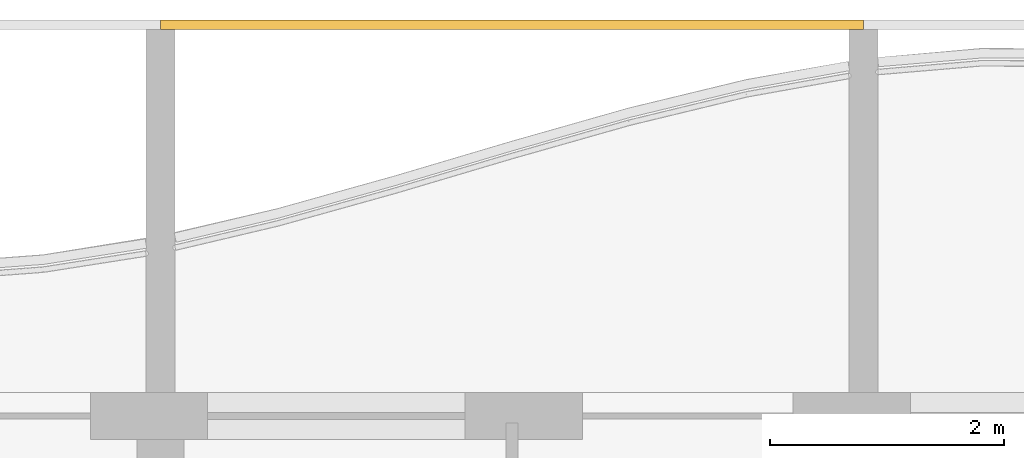
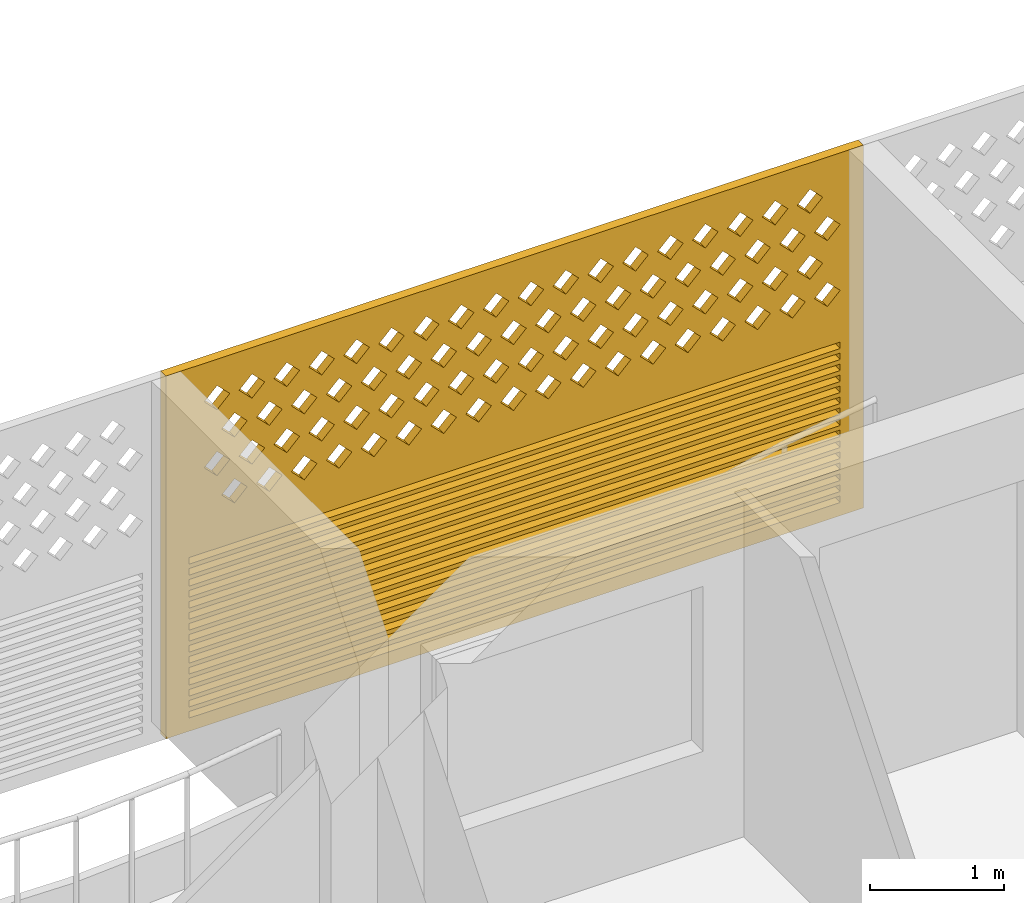
# One storey, part 22 of 39: 1 covering.
"""IFC4 building model written with IfcOpenShell, lengths in metres."""

from ifc_helpers import new_model, si_unit, direction, frame, origin, place, context, subcontext, project, spatial, polyline, outline, extrude, source, transform, mapped, material, material_profile, profile_set, type_object, element, save


model = new_model("IFC4")

# Units and contexts
model_context = context("Model", 3, precision=1e-05, world=origin(), true_north=direction((0.0, 1.0)))
body_context = subcontext(model_context, "Body", "Model", "MODEL_VIEW")
ifc_project = project(units=[si_unit("LENGTHUNIT", "METRE"), si_unit("AREAUNIT", "SQUARE_METRE"), si_unit("VOLUMEUNIT", "CUBIC_METRE"), si_unit("PLANEANGLEUNIT", "RADIAN"), si_unit("MASSUNIT", "GRAM", prefix="KILO")], contexts=[model_context])

# Site, building, storey
site_placement = place(None, origin())
site = spatial("IfcSite", under=ifc_project, at=site_placement, CompositionType="ELEMENT")
building_placement = place(site_placement, origin())
building = spatial("IfcBuilding", under=site, at=building_placement, Name="Poui Terraces", CompositionType="ELEMENT")
storey_placement = place(building_placement, frame((0.0, 0.0, 56.39990234375)))
storey = spatial("IfcBuildingStorey", under=building, at=storey_placement, Name="L15", CompositionType="ELEMENT", Elevation=56.39990234375)

# Covering
ifc_material = material(Name="Terracotta screen", Category="masonry")
ifc_material_profile = material_profile(ifc_material, outline(polyline([(-3.0, -1.64990234375), (3.0, -1.64990234375), (3.0, 1.64990234375), (-3.0, 1.64990234375), (-3.0, -1.64990234375)]), holes=[polyline([(-2.800048828125, 0.39990234375), (-2.68994140625, 0.2900390625), (-2.580078125, 0.39990234375), (-2.68994140625, 0.510009765625), (-2.800048828125, 0.39990234375)]), polyline([(-2.5, 0.39990234375), (-2.389892578125, 0.2900390625), (-2.280029296875, 0.39990234375), (-2.389892578125, 0.510009765625), (-2.5, 0.39990234375)]), polyline([(-2.199951171875, 0.39990234375), (-2.090087890625, 0.2900390625), (-1.97998046875, 0.39990234375), (-2.090087890625, 0.510009765625), (-2.199951171875, 0.39990234375)]), polyline([(-1.89990234375, 0.39990234375), (-1.7900390625, 0.2900390625), (-1.679931640625, 0.39990234375), (-1.7900390625, 0.510009765625), (-1.89990234375, 0.39990234375)]), polyline([(-1.60009765625, 0.39990234375), (-1.489990234375, 0.2900390625), (-1.3798828125, 0.39990234375), (-1.489990234375, 0.510009765625), (-1.60009765625, 0.39990234375)]), polyline([(-1.300048828125, 0.39990234375), (-1.18994140625, 0.2900390625), (-1.080078125, 0.39990234375), (-1.18994140625, 0.510009765625), (-1.300048828125, 0.39990234375)]), polyline([(-1.0, 0.39990234375), (-0.889892578125, 0.2900390625), (-0.780029296875, 0.39990234375), (-0.889892578125, 0.510009765625), (-1.0, 0.39990234375)]), polyline([(-0.699951171875, 0.39990234375), (-0.590087890625, 0.2900390625), (-0.47998046875, 0.39990234375), (-0.590087890625, 0.510009765625), (-0.699951171875, 0.39990234375)]), polyline([(-0.39990234375, 0.39990234375), (-0.2900390625, 0.2900390625), (-0.179931640625, 0.39990234375), (-0.2900390625, 0.510009765625), (-0.39990234375, 0.39990234375)]), polyline([(-0.10009765625, 0.39990234375), (0.010009765625, 0.2900390625), (0.1201171875, 0.39990234375), (0.010009765625, 0.510009765625), (-0.10009765625, 0.39990234375)]), polyline([(0.199951171875, 0.39990234375), (0.31005859375, 0.2900390625), (0.419921875, 0.39990234375), (0.31005859375, 0.510009765625), (0.199951171875, 0.39990234375)]), polyline([(0.5, 0.39990234375), (0.610107421875, 0.2900390625), (0.719970703125, 0.39990234375), (0.610107421875, 0.510009765625), (0.5, 0.39990234375)]), polyline([(0.800048828125, 0.39990234375), (0.909912109375, 0.2900390625), (1.02001953125, 0.39990234375), (0.909912109375, 0.510009765625), (0.800048828125, 0.39990234375)]), polyline([(1.10009765625, 0.39990234375), (1.2099609375, 0.2900390625), (1.320068359375, 0.39990234375), (1.2099609375, 0.510009765625), (1.10009765625, 0.39990234375)]), polyline([(1.39990234375, 0.39990234375), (1.510009765625, 0.2900390625), (1.6201171875, 0.39990234375), (1.510009765625, 0.510009765625), (1.39990234375, 0.39990234375)]), polyline([(1.699951171875, 0.39990234375), (1.81005859375, 0.2900390625), (1.919921875, 0.39990234375), (1.81005859375, 0.510009765625), (1.699951171875, 0.39990234375)]), polyline([(2.0, 0.39990234375), (2.110107421875, 0.2900390625), (2.219970703125, 0.39990234375), (2.110107421875, 0.510009765625), (2.0, 0.39990234375)]), polyline([(2.300048828125, 0.39990234375), (2.409912109375, 0.2900390625), (2.52001953125, 0.39990234375), (2.409912109375, 0.510009765625), (2.300048828125, 0.39990234375)]), polyline([(-2.64990234375, 0.699951171875), (-2.5400390625, 0.590087890625), (-2.429931640625, 0.699951171875), (-2.5400390625, 0.81005859375), (-2.64990234375, 0.699951171875)]), polyline([(-2.35009765625, 0.699951171875), (-2.239990234375, 0.590087890625), (-2.1298828125, 0.699951171875), (-2.239990234375, 0.81005859375), (-2.35009765625, 0.699951171875)]), polyline([(-2.050048828125, 0.699951171875), (-1.93994140625, 0.590087890625), (-1.830078125, 0.699951171875), (-1.93994140625, 0.81005859375), (-2.050048828125, 0.699951171875)]), polyline([(-1.75, 0.699951171875), (-1.639892578125, 0.590087890625), (-1.530029296875, 0.699951171875), (-1.639892578125, 0.81005859375), (-1.75, 0.699951171875)]), polyline([(-1.449951171875, 0.699951171875), (-1.340087890625, 0.590087890625), (-1.22998046875, 0.699951171875), (-1.340087890625, 0.81005859375), (-1.449951171875, 0.699951171875)]), polyline([(-1.14990234375, 0.699951171875), (-1.0400390625, 0.590087890625), (-0.929931640625, 0.699951171875), (-1.0400390625, 0.81005859375), (-1.14990234375, 0.699951171875)]), polyline([(-0.85009765625, 0.699951171875), (-0.739990234375, 0.590087890625), (-0.6298828125, 0.699951171875), (-0.739990234375, 0.81005859375), (-0.85009765625, 0.699951171875)]), polyline([(-0.550048828125, 0.699951171875), (-0.43994140625, 0.590087890625), (-0.330078125, 0.699951171875), (-0.43994140625, 0.81005859375), (-0.550048828125, 0.699951171875)]), polyline([(-0.25, 0.699951171875), (-0.139892578125, 0.590087890625), (-0.030029296875, 0.699951171875), (-0.139892578125, 0.81005859375), (-0.25, 0.699951171875)]), polyline([(0.050048828125, 0.699951171875), (0.159912109375, 0.590087890625), (0.27001953125, 0.699951171875), (0.159912109375, 0.81005859375), (0.050048828125, 0.699951171875)]), polyline([(0.35009765625, 0.699951171875), (0.4599609375, 0.590087890625), (0.570068359375, 0.699951171875), (0.4599609375, 0.81005859375), (0.35009765625, 0.699951171875)]), polyline([(0.64990234375, 0.699951171875), (0.760009765625, 0.590087890625), (0.8701171875, 0.699951171875), (0.760009765625, 0.81005859375), (0.64990234375, 0.699951171875)]), polyline([(0.949951171875, 0.699951171875), (1.06005859375, 0.590087890625), (1.169921875, 0.699951171875), (1.06005859375, 0.81005859375), (0.949951171875, 0.699951171875)]), polyline([(1.25, 0.699951171875), (1.360107421875, 0.590087890625), (1.469970703125, 0.699951171875), (1.360107421875, 0.81005859375), (1.25, 0.699951171875)]), polyline([(1.550048828125, 0.699951171875), (1.659912109375, 0.590087890625), (1.77001953125, 0.699951171875), (1.659912109375, 0.81005859375), (1.550048828125, 0.699951171875)]), polyline([(1.85009765625, 0.699951171875), (1.9599609375, 0.590087890625), (2.070068359375, 0.699951171875), (1.9599609375, 0.81005859375), (1.85009765625, 0.699951171875)]), polyline([(2.14990234375, 0.699951171875), (2.260009765625, 0.590087890625), (2.3701171875, 0.699951171875), (2.260009765625, 0.81005859375), (2.14990234375, 0.699951171875)]), polyline([(2.449951171875, 0.699951171875), (2.56005859375, 0.590087890625), (2.669921875, 0.699951171875), (2.56005859375, 0.81005859375), (2.449951171875, 0.699951171875)]), polyline([(-2.800048828125, 1.0), (-2.68994140625, 0.889892578125), (-2.580078125, 1.0), (-2.68994140625, 1.110107421875), (-2.800048828125, 1.0)]), polyline([(-2.5, 1.0), (-2.389892578125, 0.889892578125), (-2.280029296875, 1.0), (-2.389892578125, 1.110107421875), (-2.5, 1.0)]), polyline([(-2.199951171875, 1.0), (-2.090087890625, 0.889892578125), (-1.97998046875, 1.0), (-2.090087890625, 1.110107421875), (-2.199951171875, 1.0)]), polyline([(-1.89990234375, 1.0), (-1.7900390625, 0.889892578125), (-1.679931640625, 1.0), (-1.7900390625, 1.110107421875), (-1.89990234375, 1.0)]), polyline([(-1.60009765625, 1.0), (-1.489990234375, 0.889892578125), (-1.3798828125, 1.0), (-1.489990234375, 1.110107421875), (-1.60009765625, 1.0)]), polyline([(-1.300048828125, 1.0), (-1.18994140625, 0.889892578125), (-1.080078125, 1.0), (-1.18994140625, 1.110107421875), (-1.300048828125, 1.0)]), polyline([(-1.0, 1.0), (-0.889892578125, 0.889892578125), (-0.780029296875, 1.0), (-0.889892578125, 1.110107421875), (-1.0, 1.0)]), polyline([(-0.699951171875, 1.0), (-0.590087890625, 0.889892578125), (-0.47998046875, 1.0), (-0.590087890625, 1.110107421875), (-0.699951171875, 1.0)]), polyline([(-0.39990234375, 1.0), (-0.2900390625, 0.889892578125), (-0.179931640625, 1.0), (-0.2900390625, 1.110107421875), (-0.39990234375, 1.0)]), polyline([(-0.10009765625, 1.0), (0.010009765625, 0.889892578125), (0.1201171875, 1.0), (0.010009765625, 1.110107421875), (-0.10009765625, 1.0)]), polyline([(0.199951171875, 1.0), (0.31005859375, 0.889892578125), (0.419921875, 1.0), (0.31005859375, 1.110107421875), (0.199951171875, 1.0)]), polyline([(0.5, 1.0), (0.610107421875, 0.889892578125), (0.719970703125, 1.0), (0.610107421875, 1.110107421875), (0.5, 1.0)]), polyline([(0.800048828125, 1.0), (0.909912109375, 0.889892578125), (1.02001953125, 1.0), (0.909912109375, 1.110107421875), (0.800048828125, 1.0)]), polyline([(1.10009765625, 1.0), (1.2099609375, 0.889892578125), (1.320068359375, 1.0), (1.2099609375, 1.110107421875), (1.10009765625, 1.0)]), polyline([(1.39990234375, 1.0), (1.510009765625, 0.889892578125), (1.6201171875, 1.0), (1.510009765625, 1.110107421875), (1.39990234375, 1.0)]), polyline([(1.699951171875, 1.0), (1.81005859375, 0.889892578125), (1.919921875, 1.0), (1.81005859375, 1.110107421875), (1.699951171875, 1.0)]), polyline([(2.0, 1.0), (2.110107421875, 0.889892578125), (2.219970703125, 1.0), (2.110107421875, 1.110107421875), (2.0, 1.0)]), polyline([(2.300048828125, 1.0), (2.409912109375, 0.889892578125), (2.52001953125, 1.0), (2.409912109375, 1.110107421875), (2.300048828125, 1.0)]), polyline([(-2.64990234375, 1.300048828125), (-2.5400390625, 1.18994140625), (-2.429931640625, 1.300048828125), (-2.5400390625, 1.409912109375), (-2.64990234375, 1.300048828125)]), polyline([(-2.35009765625, 1.300048828125), (-2.239990234375, 1.18994140625), (-2.1298828125, 1.300048828125), (-2.239990234375, 1.409912109375), (-2.35009765625, 1.300048828125)]), polyline([(-2.050048828125, 1.300048828125), (-1.93994140625, 1.18994140625), (-1.830078125, 1.300048828125), (-1.93994140625, 1.409912109375), (-2.050048828125, 1.300048828125)]), polyline([(-1.75, 1.300048828125), (-1.639892578125, 1.18994140625), (-1.530029296875, 1.300048828125), (-1.639892578125, 1.409912109375), (-1.75, 1.300048828125)]), polyline([(-1.449951171875, 1.300048828125), (-1.340087890625, 1.18994140625), (-1.22998046875, 1.300048828125), (-1.340087890625, 1.409912109375), (-1.449951171875, 1.300048828125)]), polyline([(-1.14990234375, 1.300048828125), (-1.0400390625, 1.18994140625), (-0.929931640625, 1.300048828125), (-1.0400390625, 1.409912109375), (-1.14990234375, 1.300048828125)]), polyline([(-0.85009765625, 1.300048828125), (-0.739990234375, 1.18994140625), (-0.6298828125, 1.300048828125), (-0.739990234375, 1.409912109375), (-0.85009765625, 1.300048828125)]), polyline([(-0.550048828125, 1.300048828125), (-0.43994140625, 1.18994140625), (-0.330078125, 1.300048828125), (-0.43994140625, 1.409912109375), (-0.550048828125, 1.300048828125)]), polyline([(-0.25, 1.300048828125), (-0.139892578125, 1.18994140625), (-0.030029296875, 1.300048828125), (-0.139892578125, 1.409912109375), (-0.25, 1.300048828125)]), polyline([(0.050048828125, 1.300048828125), (0.159912109375, 1.18994140625), (0.27001953125, 1.300048828125), (0.159912109375, 1.409912109375), (0.050048828125, 1.300048828125)]), polyline([(0.35009765625, 1.300048828125), (0.4599609375, 1.18994140625), (0.570068359375, 1.300048828125), (0.4599609375, 1.409912109375), (0.35009765625, 1.300048828125)]), polyline([(0.64990234375, 1.300048828125), (0.760009765625, 1.18994140625), (0.8701171875, 1.300048828125), (0.760009765625, 1.409912109375), (0.64990234375, 1.300048828125)]), polyline([(0.949951171875, 1.300048828125), (1.06005859375, 1.18994140625), (1.169921875, 1.300048828125), (1.06005859375, 1.409912109375), (0.949951171875, 1.300048828125)]), polyline([(1.25, 1.300048828125), (1.360107421875, 1.18994140625), (1.469970703125, 1.300048828125), (1.360107421875, 1.409912109375), (1.25, 1.300048828125)]), polyline([(1.550048828125, 1.300048828125), (1.659912109375, 1.18994140625), (1.77001953125, 1.300048828125), (1.659912109375, 1.409912109375), (1.550048828125, 1.300048828125)]), polyline([(1.85009765625, 1.300048828125), (1.9599609375, 1.18994140625), (2.070068359375, 1.300048828125), (1.9599609375, 1.409912109375), (1.85009765625, 1.300048828125)]), polyline([(2.14990234375, 1.300048828125), (2.260009765625, 1.18994140625), (2.3701171875, 1.300048828125), (2.260009765625, 1.409912109375), (2.14990234375, 1.300048828125)]), polyline([(2.449951171875, 1.300048828125), (2.56005859375, 1.18994140625), (2.669921875, 1.300048828125), (2.56005859375, 1.409912109375), (2.449951171875, 1.300048828125)]), polyline([(-2.800048828125, -1.530029296875), (2.800048828125, -1.530029296875), (2.800048828125, -1.469970703125), (-2.800048828125, -1.469970703125), (-2.800048828125, -1.530029296875)]), polyline([(-2.800048828125, -1.429931640625), (2.800048828125, -1.429931640625), (2.800048828125, -1.3701171875), (-2.800048828125, -1.3701171875), (-2.800048828125, -1.429931640625)]), polyline([(-2.800048828125, -1.330078125), (2.800048828125, -1.330078125), (2.800048828125, -1.27001953125), (-2.800048828125, -1.27001953125), (-2.800048828125, -1.330078125)]), polyline([(-2.800048828125, -1.22998046875), (2.800048828125, -1.22998046875), (2.800048828125, -1.169921875), (-2.800048828125, -1.169921875), (-2.800048828125, -1.22998046875)]), polyline([(-2.800048828125, -1.1298828125), (2.800048828125, -1.1298828125), (2.800048828125, -1.070068359375), (-2.800048828125, -1.070068359375), (-2.800048828125, -1.1298828125)]), polyline([(-2.800048828125, -1.030029296875), (2.800048828125, -1.030029296875), (2.800048828125, -0.969970703125), (-2.800048828125, -0.969970703125), (-2.800048828125, -1.030029296875)]), polyline([(-2.800048828125, -0.929931640625), (2.800048828125, -0.929931640625), (2.800048828125, -0.8701171875), (-2.800048828125, -0.8701171875), (-2.800048828125, -0.929931640625)]), polyline([(-2.800048828125, -0.830078125), (2.800048828125, -0.830078125), (2.800048828125, -0.77001953125), (-2.800048828125, -0.77001953125), (-2.800048828125, -0.830078125)]), polyline([(-2.800048828125, -0.72998046875), (2.800048828125, -0.72998046875), (2.800048828125, -0.669921875), (-2.800048828125, -0.669921875), (-2.800048828125, -0.72998046875)]), polyline([(-2.800048828125, -0.6298828125), (2.800048828125, -0.6298828125), (2.800048828125, -0.570068359375), (-2.800048828125, -0.570068359375), (-2.800048828125, -0.6298828125)]), polyline([(-2.800048828125, -0.530029296875), (2.800048828125, -0.530029296875), (2.800048828125, -0.469970703125), (-2.800048828125, -0.469970703125), (-2.800048828125, -0.530029296875)]), polyline([(-2.800048828125, -0.429931640625), (2.800048828125, -0.429931640625), (2.800048828125, -0.3701171875), (-2.800048828125, -0.3701171875), (-2.800048828125, -0.429931640625)]), polyline([(-2.800048828125, -0.330078125), (2.800048828125, -0.330078125), (2.800048828125, -0.27001953125), (-2.800048828125, -0.27001953125), (-2.800048828125, -0.330078125)]), polyline([(-2.800048828125, -0.22998046875), (2.800048828125, -0.22998046875), (2.800048828125, -0.169921875), (-2.800048828125, -0.169921875), (-2.800048828125, -0.22998046875)]), polyline([(-2.800048828125, -0.1298828125), (2.800048828125, -0.1298828125), (2.800048828125, -0.070068359375), (-2.800048828125, -0.070068359375), (-2.800048828125, -0.1298828125)])]), Name="TERRACOTTA SCREEN AND JALOUSIE LOUVRE 6000X3300")
ifc_profile_set = profile_set([ifc_material_profile], Name="Terracotta screen")
covering_type = type_object("IfcCoveringType", Name="TERRACOTTA SCREEN AND JALOUSIE LOUVRE 6000X3300", PredefinedType="CLADDING", material=ifc_profile_set)
shared_shape = source(origin(), body_context, "Body", "SweptSolid", [
    extrude(outline(polyline([(-3.0, -1.64990234375), (3.0, -1.64990234375), (3.0, 1.64990234375), (-3.0, 1.64990234375), (-3.0, -1.64990234375)]), holes=[polyline([(-2.800048828125, 0.39990234375), (-2.68994140625, 0.2900390625), (-2.580078125, 0.39990234375), (-2.68994140625, 0.510009765625), (-2.800048828125, 0.39990234375)]), polyline([(-2.5, 0.39990234375), (-2.389892578125, 0.2900390625), (-2.280029296875, 0.39990234375), (-2.389892578125, 0.510009765625), (-2.5, 0.39990234375)]), polyline([(-2.199951171875, 0.39990234375), (-2.090087890625, 0.2900390625), (-1.97998046875, 0.39990234375), (-2.090087890625, 0.510009765625), (-2.199951171875, 0.39990234375)]), polyline([(-1.89990234375, 0.39990234375), (-1.7900390625, 0.2900390625), (-1.679931640625, 0.39990234375), (-1.7900390625, 0.510009765625), (-1.89990234375, 0.39990234375)]), polyline([(-1.60009765625, 0.39990234375), (-1.489990234375, 0.2900390625), (-1.3798828125, 0.39990234375), (-1.489990234375, 0.510009765625), (-1.60009765625, 0.39990234375)]), polyline([(-1.300048828125, 0.39990234375), (-1.18994140625, 0.2900390625), (-1.080078125, 0.39990234375), (-1.18994140625, 0.510009765625), (-1.300048828125, 0.39990234375)]), polyline([(-1.0, 0.39990234375), (-0.889892578125, 0.2900390625), (-0.780029296875, 0.39990234375), (-0.889892578125, 0.510009765625), (-1.0, 0.39990234375)]), polyline([(-0.699951171875, 0.39990234375), (-0.590087890625, 0.2900390625), (-0.47998046875, 0.39990234375), (-0.590087890625, 0.510009765625), (-0.699951171875, 0.39990234375)]), polyline([(-0.39990234375, 0.39990234375), (-0.2900390625, 0.2900390625), (-0.179931640625, 0.39990234375), (-0.2900390625, 0.510009765625), (-0.39990234375, 0.39990234375)]), polyline([(-0.10009765625, 0.39990234375), (0.010009765625, 0.2900390625), (0.1201171875, 0.39990234375), (0.010009765625, 0.510009765625), (-0.10009765625, 0.39990234375)]), polyline([(0.199951171875, 0.39990234375), (0.31005859375, 0.2900390625), (0.419921875, 0.39990234375), (0.31005859375, 0.510009765625), (0.199951171875, 0.39990234375)]), polyline([(0.5, 0.39990234375), (0.610107421875, 0.2900390625), (0.719970703125, 0.39990234375), (0.610107421875, 0.510009765625), (0.5, 0.39990234375)]), polyline([(0.800048828125, 0.39990234375), (0.909912109375, 0.2900390625), (1.02001953125, 0.39990234375), (0.909912109375, 0.510009765625), (0.800048828125, 0.39990234375)]), polyline([(1.10009765625, 0.39990234375), (1.2099609375, 0.2900390625), (1.320068359375, 0.39990234375), (1.2099609375, 0.510009765625), (1.10009765625, 0.39990234375)]), polyline([(1.39990234375, 0.39990234375), (1.510009765625, 0.2900390625), (1.6201171875, 0.39990234375), (1.510009765625, 0.510009765625), (1.39990234375, 0.39990234375)]), polyline([(1.699951171875, 0.39990234375), (1.81005859375, 0.2900390625), (1.919921875, 0.39990234375), (1.81005859375, 0.510009765625), (1.699951171875, 0.39990234375)]), polyline([(2.0, 0.39990234375), (2.110107421875, 0.2900390625), (2.219970703125, 0.39990234375), (2.110107421875, 0.510009765625), (2.0, 0.39990234375)]), polyline([(2.300048828125, 0.39990234375), (2.409912109375, 0.2900390625), (2.52001953125, 0.39990234375), (2.409912109375, 0.510009765625), (2.300048828125, 0.39990234375)]), polyline([(-2.64990234375, 0.699951171875), (-2.5400390625, 0.590087890625), (-2.429931640625, 0.699951171875), (-2.5400390625, 0.81005859375), (-2.64990234375, 0.699951171875)]), polyline([(-2.35009765625, 0.699951171875), (-2.239990234375, 0.590087890625), (-2.1298828125, 0.699951171875), (-2.239990234375, 0.81005859375), (-2.35009765625, 0.699951171875)]), polyline([(-2.050048828125, 0.699951171875), (-1.93994140625, 0.590087890625), (-1.830078125, 0.699951171875), (-1.93994140625, 0.81005859375), (-2.050048828125, 0.699951171875)]), polyline([(-1.75, 0.699951171875), (-1.639892578125, 0.590087890625), (-1.530029296875, 0.699951171875), (-1.639892578125, 0.81005859375), (-1.75, 0.699951171875)]), polyline([(-1.449951171875, 0.699951171875), (-1.340087890625, 0.590087890625), (-1.22998046875, 0.699951171875), (-1.340087890625, 0.81005859375), (-1.449951171875, 0.699951171875)]), polyline([(-1.14990234375, 0.699951171875), (-1.0400390625, 0.590087890625), (-0.929931640625, 0.699951171875), (-1.0400390625, 0.81005859375), (-1.14990234375, 0.699951171875)]), polyline([(-0.85009765625, 0.699951171875), (-0.739990234375, 0.590087890625), (-0.6298828125, 0.699951171875), (-0.739990234375, 0.81005859375), (-0.85009765625, 0.699951171875)]), polyline([(-0.550048828125, 0.699951171875), (-0.43994140625, 0.590087890625), (-0.330078125, 0.699951171875), (-0.43994140625, 0.81005859375), (-0.550048828125, 0.699951171875)]), polyline([(-0.25, 0.699951171875), (-0.139892578125, 0.590087890625), (-0.030029296875, 0.699951171875), (-0.139892578125, 0.81005859375), (-0.25, 0.699951171875)]), polyline([(0.050048828125, 0.699951171875), (0.159912109375, 0.590087890625), (0.27001953125, 0.699951171875), (0.159912109375, 0.81005859375), (0.050048828125, 0.699951171875)]), polyline([(0.35009765625, 0.699951171875), (0.4599609375, 0.590087890625), (0.570068359375, 0.699951171875), (0.4599609375, 0.81005859375), (0.35009765625, 0.699951171875)]), polyline([(0.64990234375, 0.699951171875), (0.760009765625, 0.590087890625), (0.8701171875, 0.699951171875), (0.760009765625, 0.81005859375), (0.64990234375, 0.699951171875)]), polyline([(0.949951171875, 0.699951171875), (1.06005859375, 0.590087890625), (1.169921875, 0.699951171875), (1.06005859375, 0.81005859375), (0.949951171875, 0.699951171875)]), polyline([(1.25, 0.699951171875), (1.360107421875, 0.590087890625), (1.469970703125, 0.699951171875), (1.360107421875, 0.81005859375), (1.25, 0.699951171875)]), polyline([(1.550048828125, 0.699951171875), (1.659912109375, 0.590087890625), (1.77001953125, 0.699951171875), (1.659912109375, 0.81005859375), (1.550048828125, 0.699951171875)]), polyline([(1.85009765625, 0.699951171875), (1.9599609375, 0.590087890625), (2.070068359375, 0.699951171875), (1.9599609375, 0.81005859375), (1.85009765625, 0.699951171875)]), polyline([(2.14990234375, 0.699951171875), (2.260009765625, 0.590087890625), (2.3701171875, 0.699951171875), (2.260009765625, 0.81005859375), (2.14990234375, 0.699951171875)]), polyline([(2.449951171875, 0.699951171875), (2.56005859375, 0.590087890625), (2.669921875, 0.699951171875), (2.56005859375, 0.81005859375), (2.449951171875, 0.699951171875)]), polyline([(-2.800048828125, 1.0), (-2.68994140625, 0.889892578125), (-2.580078125, 1.0), (-2.68994140625, 1.110107421875), (-2.800048828125, 1.0)]), polyline([(-2.5, 1.0), (-2.389892578125, 0.889892578125), (-2.280029296875, 1.0), (-2.389892578125, 1.110107421875), (-2.5, 1.0)]), polyline([(-2.199951171875, 1.0), (-2.090087890625, 0.889892578125), (-1.97998046875, 1.0), (-2.090087890625, 1.110107421875), (-2.199951171875, 1.0)]), polyline([(-1.89990234375, 1.0), (-1.7900390625, 0.889892578125), (-1.679931640625, 1.0), (-1.7900390625, 1.110107421875), (-1.89990234375, 1.0)]), polyline([(-1.60009765625, 1.0), (-1.489990234375, 0.889892578125), (-1.3798828125, 1.0), (-1.489990234375, 1.110107421875), (-1.60009765625, 1.0)]), polyline([(-1.300048828125, 1.0), (-1.18994140625, 0.889892578125), (-1.080078125, 1.0), (-1.18994140625, 1.110107421875), (-1.300048828125, 1.0)]), polyline([(-1.0, 1.0), (-0.889892578125, 0.889892578125), (-0.780029296875, 1.0), (-0.889892578125, 1.110107421875), (-1.0, 1.0)]), polyline([(-0.699951171875, 1.0), (-0.590087890625, 0.889892578125), (-0.47998046875, 1.0), (-0.590087890625, 1.110107421875), (-0.699951171875, 1.0)]), polyline([(-0.39990234375, 1.0), (-0.2900390625, 0.889892578125), (-0.179931640625, 1.0), (-0.2900390625, 1.110107421875), (-0.39990234375, 1.0)]), polyline([(-0.10009765625, 1.0), (0.010009765625, 0.889892578125), (0.1201171875, 1.0), (0.010009765625, 1.110107421875), (-0.10009765625, 1.0)]), polyline([(0.199951171875, 1.0), (0.31005859375, 0.889892578125), (0.419921875, 1.0), (0.31005859375, 1.110107421875), (0.199951171875, 1.0)]), polyline([(0.5, 1.0), (0.610107421875, 0.889892578125), (0.719970703125, 1.0), (0.610107421875, 1.110107421875), (0.5, 1.0)]), polyline([(0.800048828125, 1.0), (0.909912109375, 0.889892578125), (1.02001953125, 1.0), (0.909912109375, 1.110107421875), (0.800048828125, 1.0)]), polyline([(1.10009765625, 1.0), (1.2099609375, 0.889892578125), (1.320068359375, 1.0), (1.2099609375, 1.110107421875), (1.10009765625, 1.0)]), polyline([(1.39990234375, 1.0), (1.510009765625, 0.889892578125), (1.6201171875, 1.0), (1.510009765625, 1.110107421875), (1.39990234375, 1.0)]), polyline([(1.699951171875, 1.0), (1.81005859375, 0.889892578125), (1.919921875, 1.0), (1.81005859375, 1.110107421875), (1.699951171875, 1.0)]), polyline([(2.0, 1.0), (2.110107421875, 0.889892578125), (2.219970703125, 1.0), (2.110107421875, 1.110107421875), (2.0, 1.0)]), polyline([(2.300048828125, 1.0), (2.409912109375, 0.889892578125), (2.52001953125, 1.0), (2.409912109375, 1.110107421875), (2.300048828125, 1.0)]), polyline([(-2.64990234375, 1.300048828125), (-2.5400390625, 1.18994140625), (-2.429931640625, 1.300048828125), (-2.5400390625, 1.409912109375), (-2.64990234375, 1.300048828125)]), polyline([(-2.35009765625, 1.300048828125), (-2.239990234375, 1.18994140625), (-2.1298828125, 1.300048828125), (-2.239990234375, 1.409912109375), (-2.35009765625, 1.300048828125)]), polyline([(-2.050048828125, 1.300048828125), (-1.93994140625, 1.18994140625), (-1.830078125, 1.300048828125), (-1.93994140625, 1.409912109375), (-2.050048828125, 1.300048828125)]), polyline([(-1.75, 1.300048828125), (-1.639892578125, 1.18994140625), (-1.530029296875, 1.300048828125), (-1.639892578125, 1.409912109375), (-1.75, 1.300048828125)]), polyline([(-1.449951171875, 1.300048828125), (-1.340087890625, 1.18994140625), (-1.22998046875, 1.300048828125), (-1.340087890625, 1.409912109375), (-1.449951171875, 1.300048828125)]), polyline([(-1.14990234375, 1.300048828125), (-1.0400390625, 1.18994140625), (-0.929931640625, 1.300048828125), (-1.0400390625, 1.409912109375), (-1.14990234375, 1.300048828125)]), polyline([(-0.85009765625, 1.300048828125), (-0.739990234375, 1.18994140625), (-0.6298828125, 1.300048828125), (-0.739990234375, 1.409912109375), (-0.85009765625, 1.300048828125)]), polyline([(-0.550048828125, 1.300048828125), (-0.43994140625, 1.18994140625), (-0.330078125, 1.300048828125), (-0.43994140625, 1.409912109375), (-0.550048828125, 1.300048828125)]), polyline([(-0.25, 1.300048828125), (-0.139892578125, 1.18994140625), (-0.030029296875, 1.300048828125), (-0.139892578125, 1.409912109375), (-0.25, 1.300048828125)]), polyline([(0.050048828125, 1.300048828125), (0.159912109375, 1.18994140625), (0.27001953125, 1.300048828125), (0.159912109375, 1.409912109375), (0.050048828125, 1.300048828125)]), polyline([(0.35009765625, 1.300048828125), (0.4599609375, 1.18994140625), (0.570068359375, 1.300048828125), (0.4599609375, 1.409912109375), (0.35009765625, 1.300048828125)]), polyline([(0.64990234375, 1.300048828125), (0.760009765625, 1.18994140625), (0.8701171875, 1.300048828125), (0.760009765625, 1.409912109375), (0.64990234375, 1.300048828125)]), polyline([(0.949951171875, 1.300048828125), (1.06005859375, 1.18994140625), (1.169921875, 1.300048828125), (1.06005859375, 1.409912109375), (0.949951171875, 1.300048828125)]), polyline([(1.25, 1.300048828125), (1.360107421875, 1.18994140625), (1.469970703125, 1.300048828125), (1.360107421875, 1.409912109375), (1.25, 1.300048828125)]), polyline([(1.550048828125, 1.300048828125), (1.659912109375, 1.18994140625), (1.77001953125, 1.300048828125), (1.659912109375, 1.409912109375), (1.550048828125, 1.300048828125)]), polyline([(1.85009765625, 1.300048828125), (1.9599609375, 1.18994140625), (2.070068359375, 1.300048828125), (1.9599609375, 1.409912109375), (1.85009765625, 1.300048828125)]), polyline([(2.14990234375, 1.300048828125), (2.260009765625, 1.18994140625), (2.3701171875, 1.300048828125), (2.260009765625, 1.409912109375), (2.14990234375, 1.300048828125)]), polyline([(2.449951171875, 1.300048828125), (2.56005859375, 1.18994140625), (2.669921875, 1.300048828125), (2.56005859375, 1.409912109375), (2.449951171875, 1.300048828125)]), polyline([(-2.800048828125, -1.530029296875), (2.800048828125, -1.530029296875), (2.800048828125, -1.469970703125), (-2.800048828125, -1.469970703125), (-2.800048828125, -1.530029296875)]), polyline([(-2.800048828125, -1.429931640625), (2.800048828125, -1.429931640625), (2.800048828125, -1.3701171875), (-2.800048828125, -1.3701171875), (-2.800048828125, -1.429931640625)]), polyline([(-2.800048828125, -1.330078125), (2.800048828125, -1.330078125), (2.800048828125, -1.27001953125), (-2.800048828125, -1.27001953125), (-2.800048828125, -1.330078125)]), polyline([(-2.800048828125, -1.22998046875), (2.800048828125, -1.22998046875), (2.800048828125, -1.169921875), (-2.800048828125, -1.169921875), (-2.800048828125, -1.22998046875)]), polyline([(-2.800048828125, -1.1298828125), (2.800048828125, -1.1298828125), (2.800048828125, -1.070068359375), (-2.800048828125, -1.070068359375), (-2.800048828125, -1.1298828125)]), polyline([(-2.800048828125, -1.030029296875), (2.800048828125, -1.030029296875), (2.800048828125, -0.969970703125), (-2.800048828125, -0.969970703125), (-2.800048828125, -1.030029296875)]), polyline([(-2.800048828125, -0.929931640625), (2.800048828125, -0.929931640625), (2.800048828125, -0.8701171875), (-2.800048828125, -0.8701171875), (-2.800048828125, -0.929931640625)]), polyline([(-2.800048828125, -0.830078125), (2.800048828125, -0.830078125), (2.800048828125, -0.77001953125), (-2.800048828125, -0.77001953125), (-2.800048828125, -0.830078125)]), polyline([(-2.800048828125, -0.72998046875), (2.800048828125, -0.72998046875), (2.800048828125, -0.669921875), (-2.800048828125, -0.669921875), (-2.800048828125, -0.72998046875)]), polyline([(-2.800048828125, -0.6298828125), (2.800048828125, -0.6298828125), (2.800048828125, -0.570068359375), (-2.800048828125, -0.570068359375), (-2.800048828125, -0.6298828125)]), polyline([(-2.800048828125, -0.530029296875), (2.800048828125, -0.530029296875), (2.800048828125, -0.469970703125), (-2.800048828125, -0.469970703125), (-2.800048828125, -0.530029296875)]), polyline([(-2.800048828125, -0.429931640625), (2.800048828125, -0.429931640625), (2.800048828125, -0.3701171875), (-2.800048828125, -0.3701171875), (-2.800048828125, -0.429931640625)]), polyline([(-2.800048828125, -0.330078125), (2.800048828125, -0.330078125), (2.800048828125, -0.27001953125), (-2.800048828125, -0.27001953125), (-2.800048828125, -0.330078125)]), polyline([(-2.800048828125, -0.22998046875), (2.800048828125, -0.22998046875), (2.800048828125, -0.169921875), (-2.800048828125, -0.169921875), (-2.800048828125, -0.22998046875)]), polyline([(-2.800048828125, -0.1298828125), (2.800048828125, -0.1298828125), (2.800048828125, -0.070068359375), (-2.800048828125, -0.070068359375), (-2.800048828125, -0.1298828125)])]), origin(), (0.0, 0.0, 1.0), 0.079833984375),
])
covering_placement = place(storey_placement, frame((21.0, 48.10009765625, 1.4501953125), z_axis=(0.0, 1.0, 0.0), x_axis=(-1.0, 0.0, 0.0)))
element("IfcCovering", 1, at=covering_placement, inside=storey, type_object=covering_type, Name="SOLAR SCREEN AND JALOUSIE LOUVRE", PredefinedType="CLADDING", context=body_context, shape_type="MappedRepresentation", body=[
    mapped(shared_shape, transform((0.0, 0.0, 0.0))),
])

save(model, "model.ifc")
